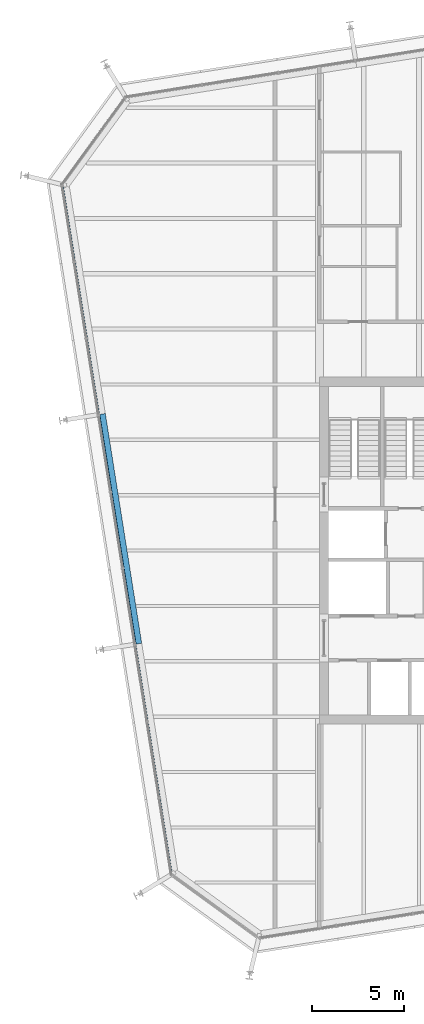
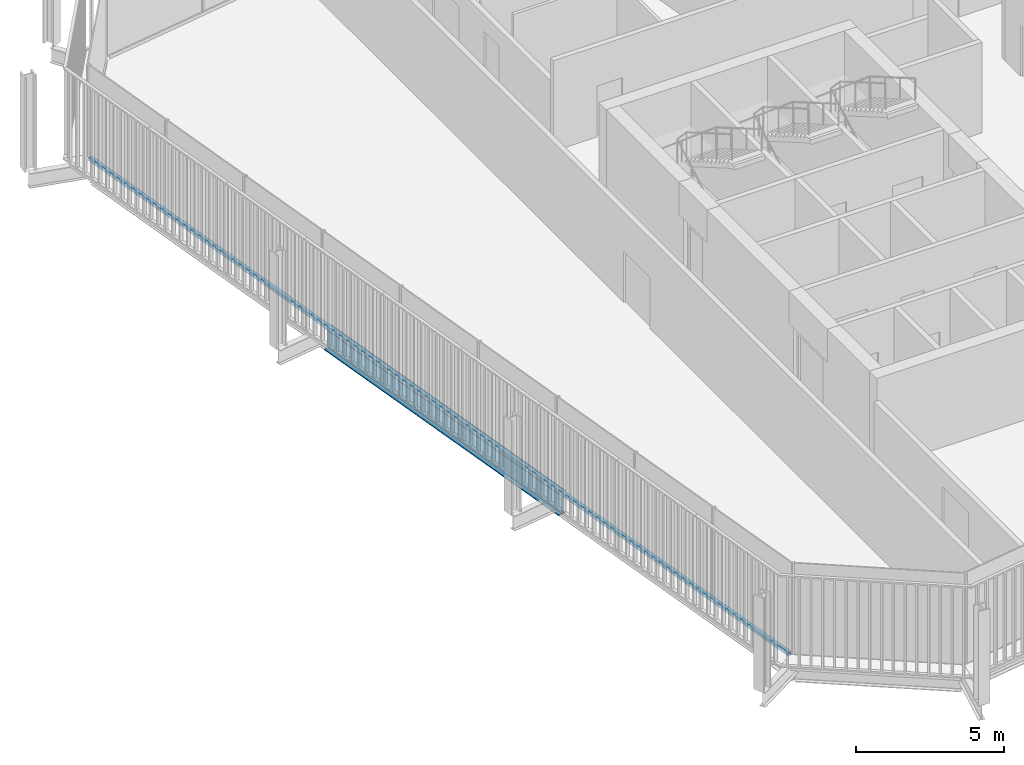
# One storey, part 5 of 20: 1 beam, 1 member, 1 element without a shape of its own.
"""IFC4 building model written with IfcOpenShell, lengths in metres."""

from ifc_helpers import new_model, si_unit, direction, frame, origin, origin_2d, place, context, subcontext, project, spatial, rectangle, i_section, extrude, material, layer, layer_set, material_profile, profile_set, type_object, element, aggregate, save


model = new_model("IFC4")

# Units and contexts
model_context = context("Model", 3, precision=1e-05, world=origin(), true_north=direction((0.0, 1.0)))
body_context = subcontext(model_context, "Body", "Model", "MODEL_VIEW")
ifc_project = project(units=[si_unit("LENGTHUNIT", "METRE"), si_unit("AREAUNIT", "SQUARE_METRE"), si_unit("VOLUMEUNIT", "CUBIC_METRE"), si_unit("PLANEANGLEUNIT", "RADIAN"), si_unit("MASSUNIT", "GRAM", prefix="KILO")], contexts=[model_context])

# Site, building, storey
site_placement = place(None, origin())
site = spatial("IfcSite", under=ifc_project, at=site_placement, CompositionType="ELEMENT")
building_placement = place(site_placement, origin())
building = spatial("IfcBuilding", under=site, at=building_placement, Name="Millrace Tower", CompositionType="ELEMENT")
storey_placement = place(building_placement, frame((0.0, 0.0, 232.0)))
storey = spatial("IfcBuildingStorey", under=building, at=storey_placement, Name="L53", CompositionType="ELEMENT", Elevation=232.0)

# Curtain wall, member
ifc_material_1 = material(Name="Aluminium and glass", Category="aluminium")
ifc_layer = layer(ifc_material_1, 0.14990234375)
ifc_layer_set = layer_set([ifc_layer], Name="Aluminium and glass")
curtain_wall_type = type_object("IfcCurtainWallType", Name="CW-1 office vision curtain wall", PredefinedType="NOTDEFINED", material=ifc_layer_set)
curtain_wall_placement = place(storey_placement, origin())
curtain_wall = element("IfcCurtainWall", 1, at=curtain_wall_placement, inside=storey, type_object=curtain_wall_type, Name="Curtain wall D-F08 L53", PredefinedType="NOTDEFINED")
ifc_material_2 = material(Name="Aluminium", Category="aluminium")
ifc_material_profile_1 = material_profile(ifc_material_2, rectangle(XDim=0.14990234375, YDim=0.139892578125, at=origin_2d()))
ifc_profile_set_1 = profile_set([ifc_material_profile_1], Name="Aluminium")
member_type = type_object("IfcMemberType", Name="CW-1 office vision curtain wall transom", PredefinedType="USERDEFINED", material=ifc_profile_set_1)
member_placement = place(storey_placement, frame((-28.331787109375, 19.708740234375, 0.070068359375), z_axis=(0.156432359726, -0.987688674042, 0.0), x_axis=(0.987688674042, 0.156432359726, 0.0)))
member = element("IfcMember", 2, at=member_placement, type_object=member_type, Name="CW1 transom D-F08.1", ObjectType="TRANSOM", PredefinedType="USERDEFINED", context=body_context, shape_type="SweptSolid", body=[
    extrude(rectangle(XDim=0.14990234375, YDim=0.139892578125, at=origin_2d()), origin(), (0.0, 0.0, 1.0), 37.599853515625),
])
aggregate(curtain_wall, [member])

# Beam
ifc_material_3 = material(Name="Steel ASTM A992 Grade 50", Category="steel")
ifc_material_profile_2 = material_profile(ifc_material_3, i_section(OverallWidth=0.307373046875, OverallDepth=0.927001953125, WebThickness=0.01953125, FlangeThickness=0.031982421875, FilletRadius=0.01904296875, at=origin_2d()))
ifc_profile_set_2 = profile_set([ifc_material_profile_2], Name="Steel ASTM A992 Grade 50")
beam_type = type_object("IfcBeamType", Name="Ring beam medium span W36x194", PredefinedType="SPANDREL", material=ifc_profile_set_2)
beam_placement = place(storey_placement, frame((-24.179443359375, -5.04638671875, -0.62353515625), z_axis=(-0.1564441342, 0.987686809102, 0.0), x_axis=(-0.987686809102, -0.1564441342, 0.0)))
element("IfcBeam", 3, at=beam_placement, inside=storey, type_object=beam_type, Name="RNG-D-L53-S1-02", PredefinedType="SPANDREL", context=body_context, shape_type="SweptSolid", body=[
    extrude(i_section(OverallWidth=0.307373046875, OverallDepth=0.927001953125, WebThickness=0.01953125, FlangeThickness=0.031982421875, FilletRadius=0.01904296875, at=origin_2d()), origin(), (0.0, 0.0, 1.0), 12.599853515625),
])

save(model, "model.ifc")
